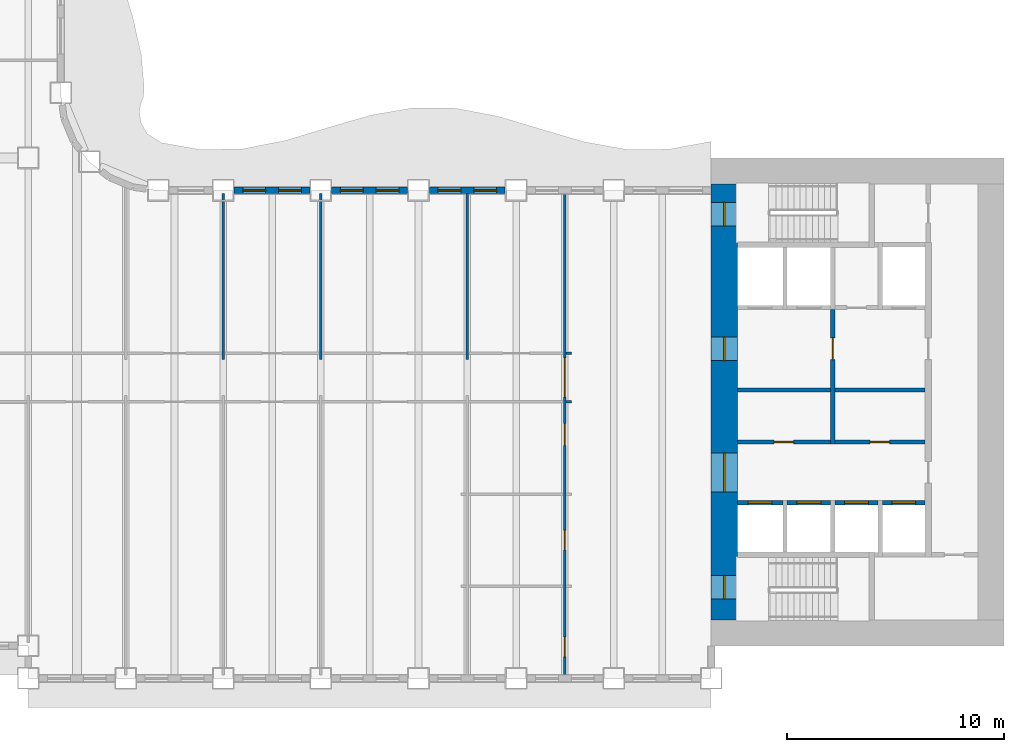
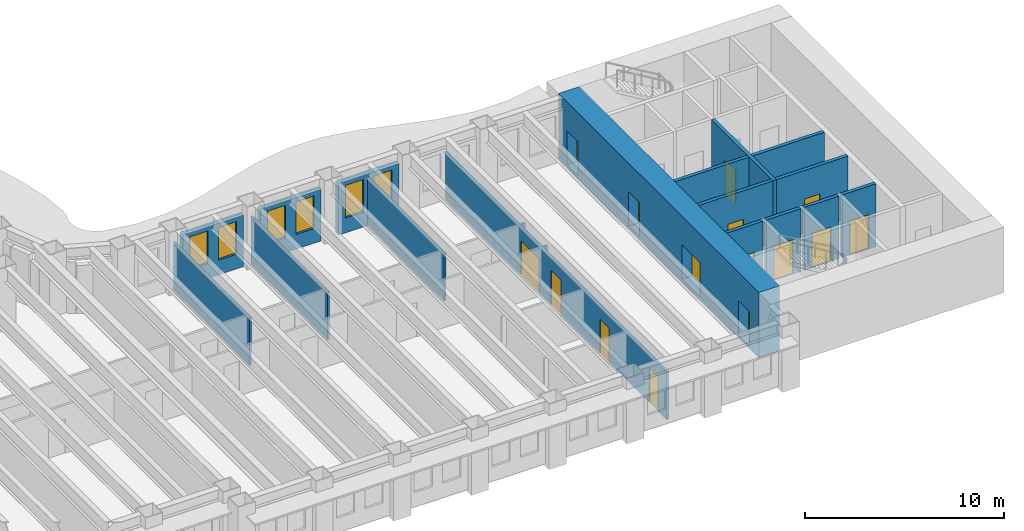
# One storey, part 6 of 16: 19 walls, 15 doors, 6 windows, 21 openings.
"""IFC4 building model written with IfcOpenShell, lengths in metres."""

from ifc_helpers import new_model, si_unit, direction, frame, frame_2d, origin, place, context, subcontext, project, spatial, rectangle, extrude, material, layer, layer_set, type_object, element, fill, save


model = new_model("IFC4")

# Units and contexts
model_context = context("Model", 3, precision=1e-05, world=origin(), true_north=direction((0.0, 1.0)))
body_context = subcontext(model_context, "Body", "Model", "MODEL_VIEW")
ifc_project = project(units=[si_unit("LENGTHUNIT", "METRE"), si_unit("AREAUNIT", "SQUARE_METRE"), si_unit("VOLUMEUNIT", "CUBIC_METRE"), si_unit("PLANEANGLEUNIT", "RADIAN"), si_unit("MASSUNIT", "GRAM", prefix="KILO")], contexts=[model_context])

# Site, building, storey
site_placement = place(None, origin())
site = spatial("IfcSite", under=ifc_project, at=site_placement, CompositionType="ELEMENT")
building_placement = place(site_placement, origin())
building = spatial("IfcBuilding", under=site, at=building_placement, Name="Sennacour Bend Tower", CompositionType="ELEMENT")
storey_placement = place(building_placement, frame((0.0, 0.0, 83.0)))
storey = spatial("IfcBuildingStorey", under=building, at=storey_placement, Name="L18", CompositionType="ELEMENT", Elevation=83.0)

# Wall, openings, doors
ifc_material_1 = material(Name="Concrete C80/95", Category="concrete")
ifc_layer_1 = layer(ifc_material_1, 1.199951171875, Name="Concrete C80/95", Category="concrete")
ifc_layer_set_1 = layer_set([ifc_layer_1], Name="Concrete C80/95")
wall_type_1 = type_object("IfcWallType", Name="Core wall 1200 C80/95", PredefinedType="SHEAR", material=ifc_layer_set_1)
wall_1_placement = place(storey_placement, frame((54.60009765625, 1.199951171875, -0.14990234375), z_axis=(0.0, 0.0, 1.0), x_axis=(0.0, 1.0, 0.0)))
wall_1 = element("IfcWall", 1, at=wall_1_placement, inside=storey, type_object=wall_type_1, Name="Core A wall L18 W", PredefinedType="SHEAR", context=body_context, shape_type="SweptSolid", body=[
    extrude(rectangle(XDim=20.10009765625, YDim=1.199951171875, at=frame_2d((10.050048828125, 0.0))), origin(), (0.0, 0.0, 1.0), 4.0),
])
opening_1_placement = place(wall_1_placement, frame((5.89990234375, 0.0, 0.14990234375)))
opening_1 = element("IfcOpeningElement", 2, at=opening_1_placement, cuts=wall_1, Name="Opening CD", PredefinedType="OPENING", context=body_context, shape_type="SweptSolid", body=[
    extrude(rectangle(XDim=1.800048828125, YDim=2.10009765625, at=frame_2d((0.89990234375, 1.050048828125))), frame((0.0, 0.60986328125, 0.0), z_axis=(0.0, -1.0, 0.0), x_axis=(1.0, 0.0, 0.0)), (0.0, 0.0, 1.0), 1.219970703125),
])
opening_2_placement = place(wall_1_placement, frame((11.949951171875, 0.0, 0.14990234375)))
opening_2 = element("IfcOpeningElement", 3, at=opening_2_placement, cuts=wall_1, Name="Opening FD", PredefinedType="OPENING", context=body_context, shape_type="SweptSolid", body=[
    extrude(rectangle(XDim=1.10009765625, YDim=2.10009765625, at=frame_2d((0.550048828125, 1.050048828125))), frame((0.0, 0.60986328125, 0.0), z_axis=(0.0, -1.0, 0.0), x_axis=(1.0, 0.0, 0.0)), (0.0, 0.0, 1.0), 1.219970703125),
])
opening_3_placement = place(wall_1_placement, frame((0.949951171875, 0.0, 0.14990234375)))
opening_3 = element("IfcOpeningElement", 4, at=opening_3_placement, cuts=wall_1, Name="Opening SD", PredefinedType="OPENING", context=body_context, shape_type="SweptSolid", body=[
    extrude(rectangle(XDim=1.10009765625, YDim=2.10009765625, at=frame_2d((0.550048828125, 1.050048828125))), frame((0.0, 0.60986328125, 0.0), z_axis=(0.0, -1.0, 0.0), x_axis=(1.0, 0.0, 0.0)), (0.0, 0.0, 1.0), 1.219970703125),
])
opening_4_placement = place(wall_1_placement, frame((18.14990234375, 0.0, 0.14990234375)))
opening_4 = element("IfcOpeningElement", 5, at=opening_4_placement, cuts=wall_1, Name="Opening SD", PredefinedType="OPENING", context=body_context, shape_type="SweptSolid", body=[
    extrude(rectangle(XDim=1.10009765625, YDim=2.10009765625, at=frame_2d((0.550048828125, 1.050048828125))), frame((0.0, 0.60986328125, 0.0), z_axis=(0.0, -1.0, 0.0), x_axis=(1.0, 0.0, 0.0)), (0.0, 0.0, 1.0), 1.219970703125),
])
ifc_material_2 = material(Name="Painted steel", Category="steel")
door_type_1 = type_object("IfcDoorType", Name="DR-FFL-1100", OperationType="NOTDEFINED", PredefinedType="DOOR", material=ifc_material_2)
door_1_placement = place(opening_2_placement, origin())
door_1 = element("IfcDoor", 6, at=door_1_placement, inside=storey, type_object=door_type_1, Name="Door", OperationType="SINGLE_SWING_RIGHT", OverallHeight=2.10009765625, OverallWidth=1.10009765625, PredefinedType="DOOR", context=body_context, shape_type="SweptSolid", body=[
    extrude(rectangle(XDim=1.10009765625, YDim=2.10009765625, at=frame_2d((0.550048828125, 1.050048828125))), frame((0.0, 0.02490234375, 0.0), z_axis=(0.0, -1.0, 0.0), x_axis=(1.0, 0.0, 0.0)), (0.0, 0.0, 1.0), 0.050048828125),
])
fill(opening_2, door_1)
door_type_2 = type_object("IfcDoorType", Name="DR-LOBBY-1800", OperationType="NOTDEFINED", PredefinedType="DOOR", material=ifc_material_2)
door_2_placement = place(opening_1_placement, origin())
door_2 = element("IfcDoor", 7, at=door_2_placement, inside=storey, type_object=door_type_2, Name="Door", OperationType="DOUBLE_DOOR_SINGLE_SWING", OverallHeight=2.10009765625, OverallWidth=1.800048828125, PredefinedType="DOOR", context=body_context, shape_type="SweptSolid", body=[
    extrude(rectangle(XDim=1.800048828125, YDim=2.10009765625, at=frame_2d((0.89990234375, 1.050048828125))), frame((0.0, 0.02490234375, 0.0), z_axis=(0.0, -1.0, 0.0), x_axis=(1.0, 0.0, 0.0)), (0.0, 0.0, 1.0), 0.050048828125),
])
fill(opening_1, door_2)
door_type_3 = type_object("IfcDoorType", Name="DR-STAIR-1100", OperationType="NOTDEFINED", PredefinedType="DOOR", material=ifc_material_2)
door_3_placement = place(opening_3_placement, origin())
door_3 = element("IfcDoor", 8, at=door_3_placement, inside=storey, type_object=door_type_3, Name="Door", OperationType="SINGLE_SWING_LEFT", OverallHeight=2.10009765625, OverallWidth=1.10009765625, PredefinedType="DOOR", context=body_context, shape_type="SweptSolid", body=[
    extrude(rectangle(XDim=1.10009765625, YDim=2.10009765625, at=frame_2d((0.550048828125, 1.050048828125))), frame((0.0, 0.02490234375, 0.0), z_axis=(0.0, -1.0, 0.0), x_axis=(1.0, 0.0, 0.0)), (0.0, 0.0, 1.0), 0.050048828125),
])
fill(opening_3, door_3)
door_4_placement = place(opening_4_placement, origin())
door_4 = element("IfcDoor", 9, at=door_4_placement, inside=storey, type_object=door_type_3, Name="Door", OperationType="SINGLE_SWING_RIGHT", OverallHeight=2.10009765625, OverallWidth=1.10009765625, PredefinedType="DOOR", context=body_context, shape_type="SweptSolid", body=[
    extrude(rectangle(XDim=1.10009765625, YDim=2.10009765625, at=frame_2d((0.550048828125, 1.050048828125))), frame((0.0, 0.02490234375, 0.0), z_axis=(0.0, -1.0, 0.0), x_axis=(1.0, 0.0, 0.0)), (0.0, 0.0, 1.0), 0.050048828125),
])
fill(opening_4, door_4)

# Walls
ifc_material_3 = material(Name="Plasterboard partition on steel studs", Category="steel")
ifc_layer_2 = layer(ifc_material_3, 0.1201171875, Name="Plasterboard partition on steel studs", Category="steel")
ifc_layer_set_2 = layer_set([ifc_layer_2], Name="Plasterboard partition on steel studs")
wall_type_2 = type_object("IfcWallType", Name="Partition 120", PredefinedType="PARTITIONING", material=ifc_layer_set_2)
for number, where, z_axis, x_axis, name in (
    (10, (31.5, 13.199951171875, 0.0), (0.0, 0.0, 1.0), (0.0, 1.0, 0.0), "P-L18-W029a"),
    (11, (36.0, 13.199951171875, 0.0), (0.0, 0.0, 1.0), (0.0, 1.0, 0.0), "P-L18-W031a"),
    (12, (42.75, 13.199951171875, 0.0), (0.0, 0.0, 1.0), (0.0, 1.0, 0.0), "P-L18-W033a"),
):
    element("IfcWall", number, at=place(storey_placement, frame(where, z_axis=z_axis, x_axis=x_axis)), inside=storey, type_object=wall_type_2, Name=name, PredefinedType="PARTITIONING", context=body_context, shape_type="SweptSolid", body=[
        extrude(rectangle(XDim=7.650146484375, YDim=0.1201171875, at=frame_2d((3.8251953125, 0.0))), origin(), (0.0, 0.0, 1.0), 2.93798828125),
    ])
for number, where, z_axis, x_axis, name in (
    (13, (47.31005859375, 11.25, 0.0), (0.0, 0.0, 1.0), (1.0, 0.0, 0.0), "P-L18-W058ai"),
    (14, (47.31005859375, 13.5, 0.0), (0.0, 0.0, 1.0), (1.0, 0.0, 0.0), "P-L18-W060ah"),
):
    element("IfcWall", number, at=place(storey_placement, frame(where, z_axis=z_axis, x_axis=x_axis)), inside=storey, type_object=wall_type_2, Name=name, PredefinedType="PARTITIONING", context=body_context, shape_type="SweptSolid", body=[
        extrude(rectangle(XDim=0.239990234375, YDim=0.1201171875, at=frame_2d((0.1201171875, 0.0))), origin(), (0.0, 0.0, 1.0), 2.93798828125),
    ])

# Wall, openings, doors
ifc_layer_3 = layer(ifc_material_3, 0.1201171875, Name="Plasterboard partition on steel studs", Category="steel")
ifc_layer_set_3 = layer_set([ifc_layer_3], Name="Plasterboard partition on steel studs")
wall_type_3 = type_object("IfcWallType", Name="Partition 120 EI 30", PredefinedType="PARTITIONING", material=ifc_layer_set_3)
wall_2_placement = place(storey_placement, frame((47.25, -1.35009765625, 0.0), z_axis=(0.0, 0.0, 1.0), x_axis=(0.0, 1.0, 0.0)))
wall_2 = element("IfcWall", 15, at=wall_2_placement, inside=storey, type_object=wall_type_3, Name="P-L18-W034a", PredefinedType="PARTITIONING", context=body_context, shape_type="SweptSolid", body=[
    extrude(rectangle(XDim=22.2001953125, YDim=0.1201171875, at=frame_2d((11.10009765625, 0.0))), origin(), (0.0, 0.0, 1.0), 2.93798828125),
])
opening_5_placement = place(wall_2_placement, frame((12.8251953125, 0.0, 0.0)))
opening_5 = element("IfcOpeningElement", 16, at=opening_5_placement, cuts=wall_2, Name="Opening KD3", PredefinedType="OPENING", context=body_context, shape_type="SweptSolid", body=[
    extrude(rectangle(XDim=1.800048828125, YDim=2.10009765625, at=frame_2d((0.89990234375, 1.050048828125))), frame((0.0, 0.070068359375, 0.0), z_axis=(0.0, -1.0, 0.0), x_axis=(1.0, 0.0, 0.0)), (0.0, 0.0, 1.0), 0.14013671875),
])
opening_6_placement = place(wall_2_placement, frame((0.85009765625, 0.0, 0.0)))
opening_6 = element("IfcOpeningElement", 17, at=opening_6_placement, cuts=wall_2, Name="Opening WD", PredefinedType="OPENING", context=body_context, shape_type="SweptSolid", body=[
    extrude(rectangle(XDim=0.89990234375, YDim=2.10009765625, at=frame_2d((0.449951171875, 1.050048828125))), frame((0.0, 0.070068359375, 0.0), z_axis=(0.0, -1.0, 0.0), x_axis=(1.0, 0.0, 0.0)), (0.0, 0.0, 1.0), 0.14013671875),
])
opening_7_placement = place(wall_2_placement, frame((5.775146484375, 0.0, 0.0)))
opening_7 = element("IfcOpeningElement", 18, at=opening_7_placement, cuts=wall_2, Name="Opening WD", PredefinedType="OPENING", context=body_context, shape_type="SweptSolid", body=[
    extrude(rectangle(XDim=0.89990234375, YDim=2.10009765625, at=frame_2d((0.449951171875, 1.050048828125))), frame((0.0, 0.070068359375, 0.0), z_axis=(0.0, -1.0, 0.0), x_axis=(1.0, 0.0, 0.0)), (0.0, 0.0, 1.0), 0.14013671875),
])
opening_8_placement = place(wall_2_placement, frame((10.60009765625, 0.0, 0.0)))
opening_8 = element("IfcOpeningElement", 19, at=opening_8_placement, cuts=wall_2, Name="Opening AD", PredefinedType="OPENING", context=body_context, shape_type="SweptSolid", body=[
    extrude(rectangle(XDim=1.0, YDim=2.10009765625, at=frame_2d((0.5, 1.050048828125))), frame((0.0, 0.070068359375, 0.0), z_axis=(0.0, -1.0, 0.0), x_axis=(1.0, 0.0, 0.0)), (0.0, 0.0, 1.0), 0.14013671875),
])
ifc_material_4 = material(Name="Timber", Category="wood")
door_type_4 = type_object("IfcDoorType", Name="DR-ACC-WC-1000", OperationType="NOTDEFINED", PredefinedType="DOOR", material=ifc_material_4)
door_5_placement = place(opening_8_placement, origin())
door_5 = element("IfcDoor", 20, at=door_5_placement, inside=storey, type_object=door_type_4, Name="Door", OperationType="SINGLE_SWING_RIGHT", OverallHeight=2.10009765625, OverallWidth=1.0, PredefinedType="DOOR", context=body_context, shape_type="SweptSolid", body=[
    extrude(rectangle(XDim=1.0, YDim=2.10009765625, at=frame_2d((0.5, 1.050048828125))), frame((0.0, 0.02490234375, 0.0), z_axis=(0.0, -1.0, 0.0), x_axis=(1.0, 0.0, 0.0)), (0.0, 0.0, 1.0), 0.050048828125),
])
fill(opening_8, door_5)
door_type_5 = type_object("IfcDoorType", Name="DR-CORRIDOR-1800", OperationType="NOTDEFINED", PredefinedType="DOOR", material=ifc_material_2)
door_6_placement = place(opening_5_placement, origin())
door_6 = element("IfcDoor", 21, at=door_6_placement, inside=storey, type_object=door_type_5, Name="Door", OperationType="DOUBLE_DOOR_SINGLE_SWING", OverallHeight=2.10009765625, OverallWidth=1.800048828125, PredefinedType="DOOR", context=body_context, shape_type="SweptSolid", body=[
    extrude(rectangle(XDim=1.800048828125, YDim=2.10009765625, at=frame_2d((0.89990234375, 1.050048828125))), frame((0.0, 0.02490234375, 0.0), z_axis=(0.0, -1.0, 0.0), x_axis=(1.0, 0.0, 0.0)), (0.0, 0.0, 1.0), 0.050048828125),
])
fill(opening_5, door_6)
door_type_6 = type_object("IfcDoorType", Name="DR-WC-900", OperationType="NOTDEFINED", PredefinedType="DOOR", material=ifc_material_4)
door_7_placement = place(opening_6_placement, origin())
door_7 = element("IfcDoor", 22, at=door_7_placement, inside=storey, type_object=door_type_6, Name="Door", OperationType="SINGLE_SWING_LEFT", OverallHeight=2.10009765625, OverallWidth=0.89990234375, PredefinedType="DOOR", context=body_context, shape_type="SweptSolid", body=[
    extrude(rectangle(XDim=0.89990234375, YDim=2.10009765625, at=frame_2d((0.449951171875, 1.050048828125))), frame((0.0, 0.02490234375, 0.0), z_axis=(0.0, -1.0, 0.0), x_axis=(1.0, 0.0, 0.0)), (0.0, 0.0, 1.0), 0.050048828125),
])
fill(opening_6, door_7)
door_8_placement = place(opening_7_placement, origin())
door_8 = element("IfcDoor", 23, at=door_8_placement, inside=storey, type_object=door_type_6, Name="Door", OperationType="SINGLE_SWING_LEFT", OverallHeight=2.10009765625, OverallWidth=0.89990234375, PredefinedType="DOOR", context=body_context, shape_type="SweptSolid", body=[
    extrude(rectangle(XDim=0.89990234375, YDim=2.10009765625, at=frame_2d((0.449951171875, 1.050048828125))), frame((0.0, 0.02490234375, 0.0), z_axis=(0.0, -1.0, 0.0), x_axis=(1.0, 0.0, 0.0)), (0.0, 0.0, 1.0), 0.050048828125),
])
fill(opening_7, door_8)

# Wall, opening, door
ifc_material_5 = material(Name="Fire-rated plasterboard partition on steel studs", Category="steel")
ifc_layer_4 = layer(ifc_material_5, 0.199951171875, Name="Fire-rated plasterboard partition on steel studs", Category="steel")
ifc_layer_set_4 = layer_set([ifc_layer_4], Name="Fire-rated plasterboard partition on steel studs")
wall_type_4 = type_object("IfcWallType", Name="Rated partition 200", PredefinedType="PARTITIONING", material=ifc_layer_set_4)
wall_3_placement = place(storey_placement, frame((55.199951171875, 9.39990234375, 0.0), z_axis=(0.0, 0.0, 1.0), x_axis=(1.0, 0.0, 0.0)))
wall_3 = element("IfcWall", 24, at=wall_3_placement, inside=storey, type_object=wall_type_4, Name="P-L18-W057a", PredefinedType="PARTITIONING", context=body_context, shape_type="SweptSolid", body=[
    extrude(rectangle(XDim=4.300048828125, YDim=0.199951171875, at=frame_2d((2.14990234375, 0.0))), origin(), (0.0, 0.0, 1.0), 3.85009765625),
])
opening_9_placement = place(wall_3_placement, frame((1.699951171875, 0.0, 0.0)))
opening_9 = element("IfcOpeningElement", 25, at=opening_9_placement, cuts=wall_3, Name="Opening SV", PredefinedType="OPENING", context=body_context, shape_type="SweptSolid", body=[
    extrude(rectangle(XDim=0.89990234375, YDim=2.10009765625, at=frame_2d((0.449951171875, 1.050048828125))), frame((0.0, 0.10986328125, 0.0), z_axis=(0.0, -1.0, 0.0), x_axis=(1.0, 0.0, 0.0)), (0.0, 0.0, 1.0), 0.219970703125),
])
door_type_7 = type_object("IfcDoorType", Name="DR-SERVICE-900", OperationType="NOTDEFINED", PredefinedType="DOOR", material=ifc_material_2)
door_9_placement = place(opening_9_placement, origin())
door_9 = element("IfcDoor", 26, at=door_9_placement, inside=storey, type_object=door_type_7, Name="Door", OperationType="SINGLE_SWING_LEFT", OverallHeight=2.10009765625, OverallWidth=0.89990234375, PredefinedType="DOOR", context=body_context, shape_type="SweptSolid", body=[
    extrude(rectangle(XDim=0.89990234375, YDim=2.10009765625, at=frame_2d((0.449951171875, 1.050048828125))), frame((0.0, 0.02490234375, 0.0), z_axis=(0.0, -1.0, 0.0), x_axis=(1.0, 0.0, 0.0)), (0.0, 0.0, 1.0), 0.050048828125),
])
fill(opening_9, door_9)

wall_4_placement = place(storey_placement, frame((59.699951171875, 9.39990234375, 0.0), z_axis=(0.0, 0.0, 1.0), x_axis=(1.0, 0.0, 0.0)))
wall_4 = element("IfcWall", 27, at=wall_4_placement, inside=storey, type_object=wall_type_4, Name="P-L18-W057b", PredefinedType="PARTITIONING", context=body_context, shape_type="SweptSolid", body=[
    extrude(rectangle(XDim=4.150146484375, YDim=0.199951171875, at=frame_2d((2.0751953125, 0.0))), origin(), (0.0, 0.0, 1.0), 3.85009765625),
])
opening_10_placement = place(wall_4_placement, frame((1.625, 0.0, 0.0)))
opening_10 = element("IfcOpeningElement", 28, at=opening_10_placement, cuts=wall_4, Name="Opening SV", PredefinedType="OPENING", context=body_context, shape_type="SweptSolid", body=[
    extrude(rectangle(XDim=0.89990234375, YDim=2.10009765625, at=frame_2d((0.449951171875, 1.050048828125))), frame((0.0, 0.10986328125, 0.0), z_axis=(0.0, -1.0, 0.0), x_axis=(1.0, 0.0, 0.0)), (0.0, 0.0, 1.0), 0.219970703125),
])
door_10_placement = place(opening_10_placement, origin())
door_10 = element("IfcDoor", 29, at=door_10_placement, inside=storey, type_object=door_type_7, Name="Door", OperationType="SINGLE_SWING_LEFT", OverallHeight=2.10009765625, OverallWidth=0.89990234375, PredefinedType="DOOR", context=body_context, shape_type="SweptSolid", body=[
    extrude(rectangle(XDim=0.89990234375, YDim=2.10009765625, at=frame_2d((0.449951171875, 1.050048828125))), frame((0.0, 0.02490234375, 0.0), z_axis=(0.0, -1.0, 0.0), x_axis=(1.0, 0.0, 0.0)), (0.0, 0.0, 1.0), 0.050048828125),
])
fill(opening_10, door_10)

# Walls
wall_5_placement = place(storey_placement, frame((55.199951171875, 11.800048828125, 0.0), z_axis=(0.0, 0.0, 1.0), x_axis=(1.0, 0.0, 0.0)))
element("IfcWall", 30, at=wall_5_placement, inside=storey, type_object=wall_type_4, Name="P-L18-W059a", PredefinedType="PARTITIONING", context=body_context, shape_type="SweptSolid", body=[
    extrude(rectangle(XDim=4.300048828125, YDim=0.199951171875, at=frame_2d((2.14990234375, 0.0))), origin(), (0.0, 0.0, 1.0), 3.85009765625),
])
wall_6_placement = place(storey_placement, frame((59.699951171875, 11.800048828125, 0.0), z_axis=(0.0, 0.0, 1.0), x_axis=(1.0, 0.0, 0.0)))
element("IfcWall", 31, at=wall_6_placement, inside=storey, type_object=wall_type_4, Name="P-L18-W059b", PredefinedType="PARTITIONING", context=body_context, shape_type="SweptSolid", body=[
    extrude(rectangle(XDim=4.150146484375, YDim=0.199951171875, at=frame_2d((2.0751953125, 0.0))), origin(), (0.0, 0.0, 1.0), 3.85009765625),
])

# Wall, opening, door
ifc_layer_5 = layer(ifc_material_5, 0.199951171875, Name="Fire-rated plasterboard partition on steel studs", Category="steel")
ifc_layer_set_5 = layer_set([ifc_layer_5], Name="Fire-rated plasterboard partition on steel studs")
wall_type_5 = type_object("IfcWallType", Name="Rated partition 200 EI 90", PredefinedType="PARTITIONING", material=ifc_layer_set_5)
wall_7_placement = place(storey_placement, frame((59.60009765625, 9.300048828125, 0.0), z_axis=(0.0, 0.0, 1.0), x_axis=(0.0, 1.0, 0.0)))
wall_7 = element("IfcWall", 32, at=wall_7_placement, inside=storey, type_object=wall_type_5, Name="P-L18-W039", PredefinedType="PARTITIONING", context=body_context, shape_type="SweptSolid", body=[
    extrude(rectangle(XDim=6.199951171875, YDim=0.199951171875, at=frame_2d((3.10009765625, 0.0))), origin(), (0.0, 0.0, 1.0), 3.85009765625),
])
opening_11_placement = place(wall_7_placement, frame((3.89990234375, 0.0, 0.0)))
opening_11 = element("IfcOpeningElement", 33, at=opening_11_placement, cuts=wall_7, Name="Opening FD2", PredefinedType="OPENING", context=body_context, shape_type="SweptSolid", body=[
    extrude(rectangle(XDim=1.0, YDim=2.10009765625, at=frame_2d((0.5, 1.050048828125))), frame((0.0, 0.10986328125, 0.0), z_axis=(0.0, -1.0, 0.0), x_axis=(1.0, 0.0, 0.0)), (0.0, 0.0, 1.0), 0.219970703125),
])
door_type_8 = type_object("IfcDoorType", Name="DR-FFL-1000", OperationType="NOTDEFINED", PredefinedType="DOOR", material=ifc_material_2)
door_11_placement = place(opening_11_placement, origin())
door_11 = element("IfcDoor", 34, at=door_11_placement, inside=storey, type_object=door_type_8, Name="Door", OperationType="SINGLE_SWING_RIGHT", OverallHeight=2.10009765625, OverallWidth=1.0, PredefinedType="DOOR", context=body_context, shape_type="SweptSolid", body=[
    extrude(rectangle(XDim=1.0, YDim=2.10009765625, at=frame_2d((0.5, 1.050048828125))), frame((0.0, 0.02490234375, 0.0), z_axis=(0.0, -1.0, 0.0), x_axis=(1.0, 0.0, 0.0)), (0.0, 0.0, 1.0), 0.050048828125),
])
fill(opening_11, door_11)

# Wall, openings, windows
ifc_material_6 = material(Name="Warm limestone cladding", Category="masonry")
ifc_layer_6 = layer(ifc_material_6, 0.050048828125, Name="Warm limestone cladding", Category="masonry")
ifc_material_7 = material(Name="Precast concrete C40/50", Category="concrete")
ifc_layer_7 = layer(ifc_material_7, 0.25, Name="Precast concrete C40/50", Category="concrete")
ifc_layer_set_6 = layer_set([ifc_layer_6, ifc_layer_7], Name="Precast concrete C40/50 with limestone cladding")
wall_type_6 = type_object("IfcWallType", Name="STONE-CLAD PRECAST SPANDREL 300", PredefinedType="STANDARD", material=ifc_layer_set_6)
wall_8_placement = place(storey_placement, frame((44.5, 21.0, 0.0), z_axis=(0.0, 0.0, 1.0), x_axis=(-1.0, 0.0, 0.0)))
wall_8 = element("IfcWall", 35, at=wall_8_placement, inside=storey, type_object=wall_type_6, Name="Stone spandrel and pier wall L18 06.02", PredefinedType="STANDARD", context=body_context, shape_type="SweptSolid", body=[
    extrude(rectangle(XDim=3.5, YDim=0.300048828125, at=frame_2d((1.75, 0.0))), origin(), (0.0, 0.0, 1.0), 3.154052734375),
])
opening_12_placement = place(wall_8_placement, frame((0.39990234375, 0.0, 0.89990234375)))
opening_12 = element("IfcOpeningElement", 36, at=opening_12_placement, cuts=wall_8, Name="Opening W13", PredefinedType="OPENING", context=body_context, shape_type="SweptSolid", body=[
    extrude(rectangle(XDim=1.050048828125, YDim=2.0, at=frame_2d((0.52490234375, 1.0))), frame((0.0, 0.16015625, 0.0), z_axis=(0.0, -1.0, 0.0), x_axis=(1.0, 0.0, 0.0)), (0.0, 0.0, 1.0), 0.320068359375),
])
opening_13_placement = place(wall_8_placement, frame((2.050048828125, 0.0, 0.89990234375)))
opening_13 = element("IfcOpeningElement", 37, at=opening_13_placement, cuts=wall_8, Name="Opening W13", PredefinedType="OPENING", context=body_context, shape_type="SweptSolid", body=[
    extrude(rectangle(XDim=1.050048828125, YDim=2.0, at=frame_2d((0.52490234375, 1.0))), frame((0.0, 0.16015625, 0.0), z_axis=(0.0, -1.0, 0.0), x_axis=(1.0, 0.0, 0.0)), (0.0, 0.0, 1.0), 0.320068359375),
])
ifc_material_8 = material(Name="Clear low-emissivity glass", Category="glass")
window_type = type_object("IfcWindowType", Name="WIN-RIBBON-1050x2000", PartitioningType="SINGLE_PANEL", PredefinedType="WINDOW", material=ifc_material_8)
window_1_placement = place(opening_12_placement, origin())
window_1 = element("IfcWindow", 38, at=window_1_placement, inside=storey, type_object=window_type, Name="Ribbon window L18 06.02.0", OverallHeight=2.0, OverallWidth=1.050048828125, PartitioningType="SINGLE_PANEL", PredefinedType="WINDOW", context=body_context, shape_type="SweptSolid", body=[
    extrude(rectangle(XDim=1.050048828125, YDim=2.0, at=frame_2d((0.52490234375, 1.0))), frame((0.0, 0.030029296875, 0.0), z_axis=(0.0, -1.0, 0.0), x_axis=(1.0, 0.0, 0.0)), (0.0, 0.0, 1.0), 0.06005859375),
])
fill(opening_12, window_1)
window_2_placement = place(opening_13_placement, origin())
window_2 = element("IfcWindow", 39, at=window_2_placement, inside=storey, type_object=window_type, Name="Ribbon window L18 06.02.1", OverallHeight=2.0, OverallWidth=1.050048828125, PartitioningType="SINGLE_PANEL", PredefinedType="WINDOW", context=body_context, shape_type="SweptSolid", body=[
    extrude(rectangle(XDim=1.050048828125, YDim=2.0, at=frame_2d((0.52490234375, 1.0))), frame((0.0, 0.030029296875, 0.0), z_axis=(0.0, -1.0, 0.0), x_axis=(1.0, 0.0, 0.0)), (0.0, 0.0, 1.0), 0.06005859375),
])
fill(opening_13, window_2)

wall_9_placement = place(storey_placement, frame((40.0, 21.0, 0.0), z_axis=(0.0, 0.0, 1.0), x_axis=(-1.0, 0.0, 0.0)))
wall_9 = element("IfcWall", 40, at=wall_9_placement, inside=storey, type_object=wall_type_6, Name="Stone spandrel and pier wall L18 06.03", PredefinedType="STANDARD", context=body_context, shape_type="SweptSolid", body=[
    extrude(rectangle(XDim=3.5, YDim=0.300048828125, at=frame_2d((1.75, 0.0))), origin(), (0.0, 0.0, 1.0), 3.154052734375),
])
opening_14_placement = place(wall_9_placement, frame((0.39990234375, 0.0, 0.89990234375)))
opening_14 = element("IfcOpeningElement", 41, at=opening_14_placement, cuts=wall_9, Name="Opening W13", PredefinedType="OPENING", context=body_context, shape_type="SweptSolid", body=[
    extrude(rectangle(XDim=1.050048828125, YDim=2.0, at=frame_2d((0.52490234375, 1.0))), frame((0.0, 0.16015625, 0.0), z_axis=(0.0, -1.0, 0.0), x_axis=(1.0, 0.0, 0.0)), (0.0, 0.0, 1.0), 0.320068359375),
])
opening_15_placement = place(wall_9_placement, frame((2.050048828125, 0.0, 0.89990234375)))
opening_15 = element("IfcOpeningElement", 42, at=opening_15_placement, cuts=wall_9, Name="Opening W13", PredefinedType="OPENING", context=body_context, shape_type="SweptSolid", body=[
    extrude(rectangle(XDim=1.050048828125, YDim=2.0, at=frame_2d((0.52490234375, 1.0))), frame((0.0, 0.16015625, 0.0), z_axis=(0.0, -1.0, 0.0), x_axis=(1.0, 0.0, 0.0)), (0.0, 0.0, 1.0), 0.320068359375),
])
window_3_placement = place(opening_14_placement, origin())
window_3 = element("IfcWindow", 43, at=window_3_placement, inside=storey, type_object=window_type, Name="Ribbon window L18 06.03.0", OverallHeight=2.0, OverallWidth=1.050048828125, PartitioningType="SINGLE_PANEL", PredefinedType="WINDOW", context=body_context, shape_type="SweptSolid", body=[
    extrude(rectangle(XDim=1.050048828125, YDim=2.0, at=frame_2d((0.52490234375, 1.0))), frame((0.0, 0.030029296875, 0.0), z_axis=(0.0, -1.0, 0.0), x_axis=(1.0, 0.0, 0.0)), (0.0, 0.0, 1.0), 0.06005859375),
])
fill(opening_14, window_3)
window_4_placement = place(opening_15_placement, origin())
window_4 = element("IfcWindow", 44, at=window_4_placement, inside=storey, type_object=window_type, Name="Ribbon window L18 06.03.1", OverallHeight=2.0, OverallWidth=1.050048828125, PartitioningType="SINGLE_PANEL", PredefinedType="WINDOW", context=body_context, shape_type="SweptSolid", body=[
    extrude(rectangle(XDim=1.050048828125, YDim=2.0, at=frame_2d((0.52490234375, 1.0))), frame((0.0, 0.030029296875, 0.0), z_axis=(0.0, -1.0, 0.0), x_axis=(1.0, 0.0, 0.0)), (0.0, 0.0, 1.0), 0.06005859375),
])
fill(opening_15, window_4)

wall_10_placement = place(storey_placement, frame((35.5, 21.0, 0.0), z_axis=(0.0, 0.0, 1.0), x_axis=(-1.0, 0.0, 0.0)))
wall_10 = element("IfcWall", 45, at=wall_10_placement, inside=storey, type_object=wall_type_6, Name="Stone spandrel and pier wall L18 06.04", PredefinedType="STANDARD", context=body_context, shape_type="SweptSolid", body=[
    extrude(rectangle(XDim=3.5, YDim=0.300048828125, at=frame_2d((1.75, 0.0))), origin(), (0.0, 0.0, 1.0), 3.154052734375),
])
opening_16_placement = place(wall_10_placement, frame((0.39990234375, 0.0, 0.89990234375)))
opening_16 = element("IfcOpeningElement", 46, at=opening_16_placement, cuts=wall_10, Name="Opening W13", PredefinedType="OPENING", context=body_context, shape_type="SweptSolid", body=[
    extrude(rectangle(XDim=1.050048828125, YDim=2.0, at=frame_2d((0.52490234375, 1.0))), frame((0.0, 0.16015625, 0.0), z_axis=(0.0, -1.0, 0.0), x_axis=(1.0, 0.0, 0.0)), (0.0, 0.0, 1.0), 0.320068359375),
])
opening_17_placement = place(wall_10_placement, frame((2.050048828125, 0.0, 0.89990234375)))
opening_17 = element("IfcOpeningElement", 47, at=opening_17_placement, cuts=wall_10, Name="Opening W13", PredefinedType="OPENING", context=body_context, shape_type="SweptSolid", body=[
    extrude(rectangle(XDim=1.050048828125, YDim=2.0, at=frame_2d((0.52490234375, 1.0))), frame((0.0, 0.16015625, 0.0), z_axis=(0.0, -1.0, 0.0), x_axis=(1.0, 0.0, 0.0)), (0.0, 0.0, 1.0), 0.320068359375),
])
window_5_placement = place(opening_16_placement, origin())
window_5 = element("IfcWindow", 48, at=window_5_placement, inside=storey, type_object=window_type, Name="Ribbon window L18 06.04.0", OverallHeight=2.0, OverallWidth=1.050048828125, PartitioningType="SINGLE_PANEL", PredefinedType="WINDOW", context=body_context, shape_type="SweptSolid", body=[
    extrude(rectangle(XDim=1.050048828125, YDim=2.0, at=frame_2d((0.52490234375, 1.0))), frame((0.0, 0.030029296875, 0.0), z_axis=(0.0, -1.0, 0.0), x_axis=(1.0, 0.0, 0.0)), (0.0, 0.0, 1.0), 0.06005859375),
])
fill(opening_16, window_5)
window_6_placement = place(opening_17_placement, origin())
window_6 = element("IfcWindow", 49, at=window_6_placement, inside=storey, type_object=window_type, Name="Ribbon window L18 06.04.1", OverallHeight=2.0, OverallWidth=1.050048828125, PartitioningType="SINGLE_PANEL", PredefinedType="WINDOW", context=body_context, shape_type="SweptSolid", body=[
    extrude(rectangle(XDim=1.050048828125, YDim=2.0, at=frame_2d((0.52490234375, 1.0))), frame((0.0, 0.030029296875, 0.0), z_axis=(0.0, -1.0, 0.0), x_axis=(1.0, 0.0, 0.0)), (0.0, 0.0, 1.0), 0.06005859375),
])
fill(opening_17, window_6)

# Wall, opening, door
ifc_material_9 = material(Name="Concrete C50/60", Category="concrete")
ifc_layer_8 = layer(ifc_material_9, 0.199951171875, Name="Concrete C50/60", Category="concrete")
ifc_layer_set_7 = layer_set([ifc_layer_8], Name="Concrete C50/60")
wall_type_7 = type_object("IfcWallType", Name="Shaft wall 200", PredefinedType="SOLIDWALL", material=ifc_layer_set_7)
wall_11_placement = place(storey_placement, frame((55.199951171875, 6.60009765625, 0.0), z_axis=(0.0, 0.0, 1.0), x_axis=(1.0, 0.0, 0.0)))
wall_11 = element("IfcWall", 50, at=wall_11_placement, inside=storey, type_object=wall_type_7, Name="P-L18-W055a", PredefinedType="SOLIDWALL", context=body_context, shape_type="SweptSolid", body=[
    extrude(rectangle(XDim=2.10009765625, YDim=0.199951171875, at=frame_2d((1.050048828125, 0.0))), origin(), (0.0, 0.0, 1.0), 3.85009765625),
])
opening_18_placement = place(wall_11_placement, frame((0.5, 0.0, 0.011962890625)))
opening_18 = element("IfcOpeningElement", 51, at=opening_18_placement, cuts=wall_11, Name="Opening LD", PredefinedType="OPENING", context=body_context, shape_type="SweptSolid", body=[
    extrude(rectangle(XDim=1.10009765625, YDim=2.10009765625, at=frame_2d((0.550048828125, 1.050048828125))), frame((0.0, 0.10986328125, 0.0), z_axis=(0.0, -1.0, 0.0), x_axis=(1.0, 0.0, 0.0)), (0.0, 0.0, 1.0), 0.219970703125),
])
ifc_material_10 = material(Name="Stainless steel", Category="steel")
door_type_9 = type_object("IfcDoorType", Name="DR-LANDING-1100", OperationType="NOTDEFINED", PredefinedType="DOOR", material=ifc_material_10)
door_12_placement = place(opening_18_placement, origin())
door_12 = element("IfcDoor", 52, at=door_12_placement, inside=storey, type_object=door_type_9, Name="Lift landing door LA1", OperationType="SLIDING_TO_LEFT", OverallHeight=2.10009765625, OverallWidth=1.10009765625, PredefinedType="DOOR", context=body_context, shape_type="SweptSolid", body=[
    extrude(rectangle(XDim=1.10009765625, YDim=2.10009765625, at=frame_2d((0.550048828125, 1.050048828125))), frame((0.0, 0.02490234375, 0.0), z_axis=(0.0, -1.0, 0.0), x_axis=(1.0, 0.0, 0.0)), (0.0, 0.0, 1.0), 0.050048828125),
])
fill(opening_18, door_12)

wall_12_placement = place(storey_placement, frame((57.5, 6.60009765625, 0.0), z_axis=(0.0, 0.0, 1.0), x_axis=(1.0, 0.0, 0.0)))
wall_12 = element("IfcWall", 53, at=wall_12_placement, inside=storey, type_object=wall_type_7, Name="P-L18-W055b", PredefinedType="SOLIDWALL", context=body_context, shape_type="SweptSolid", body=[
    extrude(rectangle(XDim=2.0, YDim=0.199951171875, at=frame_2d((1.0, 0.0))), origin(), (0.0, 0.0, 1.0), 3.85009765625),
])
opening_19_placement = place(wall_12_placement, frame((0.449951171875, 0.0, 0.011962890625)))
opening_19 = element("IfcOpeningElement", 54, at=opening_19_placement, cuts=wall_12, Name="Opening LD", PredefinedType="OPENING", context=body_context, shape_type="SweptSolid", body=[
    extrude(rectangle(XDim=1.10009765625, YDim=2.10009765625, at=frame_2d((0.550048828125, 1.050048828125))), frame((0.0, 0.10986328125, 0.0), z_axis=(0.0, -1.0, 0.0), x_axis=(1.0, 0.0, 0.0)), (0.0, 0.0, 1.0), 0.219970703125),
])
door_13_placement = place(opening_19_placement, origin())
door_13 = element("IfcDoor", 55, at=door_13_placement, inside=storey, type_object=door_type_9, Name="Lift landing door LA2", OperationType="SLIDING_TO_RIGHT", OverallHeight=2.10009765625, OverallWidth=1.10009765625, PredefinedType="DOOR", context=body_context, shape_type="SweptSolid", body=[
    extrude(rectangle(XDim=1.10009765625, YDim=2.10009765625, at=frame_2d((0.550048828125, 1.050048828125))), frame((0.0, 0.02490234375, 0.0), z_axis=(0.0, -1.0, 0.0), x_axis=(1.0, 0.0, 0.0)), (0.0, 0.0, 1.0), 0.050048828125),
])
fill(opening_19, door_13)

wall_13_placement = place(storey_placement, frame((59.699951171875, 6.60009765625, 0.0), z_axis=(0.0, 0.0, 1.0), x_axis=(1.0, 0.0, 0.0)))
wall_13 = element("IfcWall", 56, at=wall_13_placement, inside=storey, type_object=wall_type_7, Name="P-L18-W055c", PredefinedType="SOLIDWALL", context=body_context, shape_type="SweptSolid", body=[
    extrude(rectangle(XDim=2.0, YDim=0.199951171875, at=frame_2d((1.0, 0.0))), origin(), (0.0, 0.0, 1.0), 3.85009765625),
])
opening_20_placement = place(wall_13_placement, frame((0.449951171875, 0.0, 0.011962890625)))
opening_20 = element("IfcOpeningElement", 57, at=opening_20_placement, cuts=wall_13, Name="Opening LD", PredefinedType="OPENING", context=body_context, shape_type="SweptSolid", body=[
    extrude(rectangle(XDim=1.10009765625, YDim=2.10009765625, at=frame_2d((0.550048828125, 1.050048828125))), frame((0.0, 0.10986328125, 0.0), z_axis=(0.0, -1.0, 0.0), x_axis=(1.0, 0.0, 0.0)), (0.0, 0.0, 1.0), 0.219970703125),
])
door_14_placement = place(opening_20_placement, origin())
door_14 = element("IfcDoor", 58, at=door_14_placement, inside=storey, type_object=door_type_9, Name="Lift landing door LA3", OperationType="SLIDING_TO_LEFT", OverallHeight=2.10009765625, OverallWidth=1.10009765625, PredefinedType="DOOR", context=body_context, shape_type="SweptSolid", body=[
    extrude(rectangle(XDim=1.10009765625, YDim=2.10009765625, at=frame_2d((0.550048828125, 1.050048828125))), frame((0.0, 0.02490234375, 0.0), z_axis=(0.0, -1.0, 0.0), x_axis=(1.0, 0.0, 0.0)), (0.0, 0.0, 1.0), 0.050048828125),
])
fill(opening_20, door_14)

wall_14_placement = place(storey_placement, frame((61.89990234375, 6.60009765625, 0.0), z_axis=(0.0, 0.0, 1.0), x_axis=(1.0, 0.0, 0.0)))
wall_14 = element("IfcWall", 59, at=wall_14_placement, inside=storey, type_object=wall_type_7, Name="P-L18-W055d", PredefinedType="SOLIDWALL", context=body_context, shape_type="SweptSolid", body=[
    extrude(rectangle(XDim=1.9501953125, YDim=0.199951171875, at=frame_2d((0.97509765625, 0.0))), origin(), (0.0, 0.0, 1.0), 3.85009765625),
])
opening_21_placement = place(wall_14_placement, frame((0.425048828125, 0.0, 0.011962890625)))
opening_21 = element("IfcOpeningElement", 60, at=opening_21_placement, cuts=wall_14, Name="Opening LD", PredefinedType="OPENING", context=body_context, shape_type="SweptSolid", body=[
    extrude(rectangle(XDim=1.10009765625, YDim=2.10009765625, at=frame_2d((0.550048828125, 1.050048828125))), frame((0.0, 0.10986328125, 0.0), z_axis=(0.0, -1.0, 0.0), x_axis=(1.0, 0.0, 0.0)), (0.0, 0.0, 1.0), 0.219970703125),
])
door_15_placement = place(opening_21_placement, origin())
door_15 = element("IfcDoor", 61, at=door_15_placement, inside=storey, type_object=door_type_9, Name="Lift landing door LA4", OperationType="SLIDING_TO_RIGHT", OverallHeight=2.10009765625, OverallWidth=1.10009765625, PredefinedType="DOOR", context=body_context, shape_type="SweptSolid", body=[
    extrude(rectangle(XDim=1.10009765625, YDim=2.10009765625, at=frame_2d((0.550048828125, 1.050048828125))), frame((0.0, 0.02490234375, 0.0), z_axis=(0.0, -1.0, 0.0), x_axis=(1.0, 0.0, 0.0)), (0.0, 0.0, 1.0), 0.050048828125),
])
fill(opening_21, door_15)

save(model, "model.ifc")
